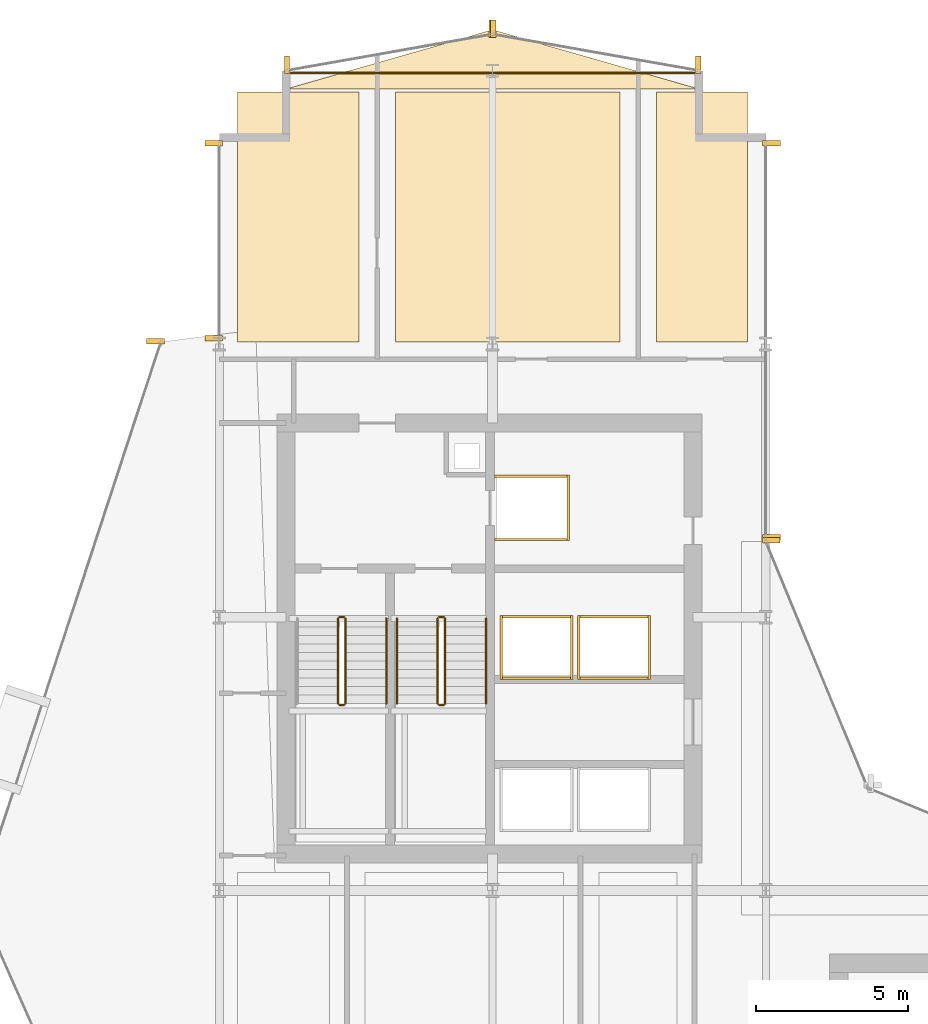
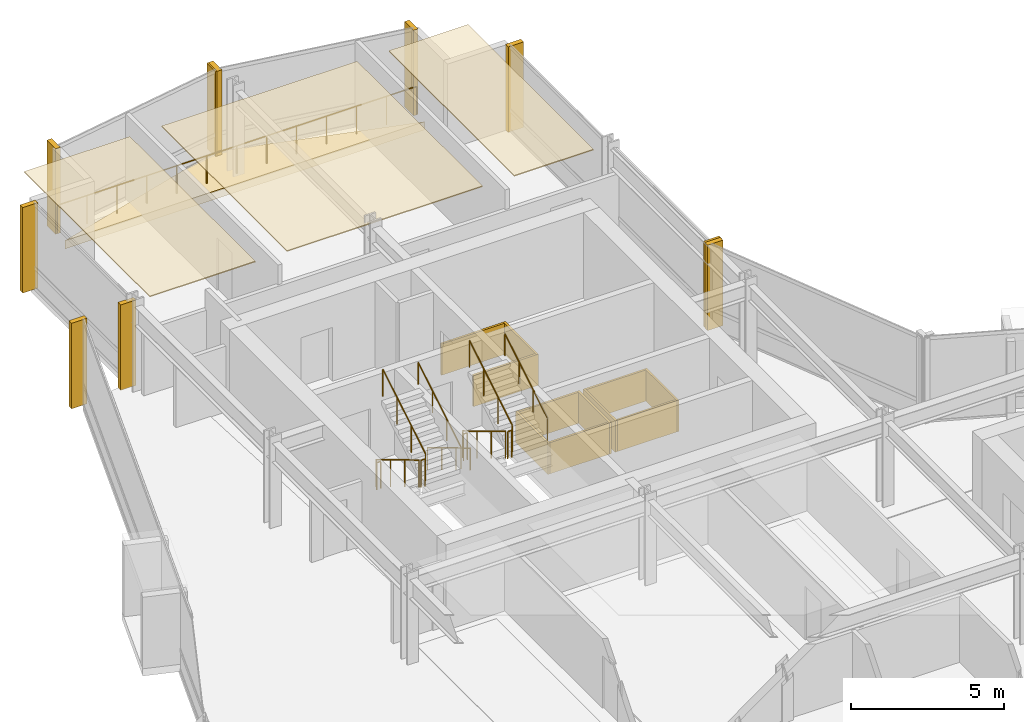
# One storey, part 29 of 29: 25 coverings, 12 railings.
"""IFC4 building model written with IfcOpenShell, lengths in metres."""

from ifc_helpers import new_model, si_unit, direction, frame, origin, origin_2d, place, context, subcontext, project, spatial, polyline, rectangle, circle, outline, extrude, material, layer, layer_set, type_object, element, save


model = new_model("IFC4")

# Units and contexts
model_context = context("Model", 3, precision=1e-05, world=origin(), true_north=direction((0.0, 1.0)))
body_context = subcontext(model_context, "Body", "Model", "MODEL_VIEW")
ifc_project = project(units=[si_unit("LENGTHUNIT", "METRE"), si_unit("AREAUNIT", "SQUARE_METRE"), si_unit("VOLUMEUNIT", "CUBIC_METRE"), si_unit("PLANEANGLEUNIT", "RADIAN"), si_unit("MASSUNIT", "GRAM", prefix="KILO")], contexts=[model_context])

# Site, building, storey
site_placement = place(None, origin())
site = spatial("IfcSite", under=ifc_project, at=site_placement, CompositionType="ELEMENT")
building_placement = place(site_placement, origin())
building = spatial("IfcBuilding", under=site, at=building_placement, Name="Solvaryn Broadcast Tower", CompositionType="ELEMENT")
storey_placement = place(building_placement, frame((0.0, 0.0, 117.39990234375)))
storey = spatial("IfcBuildingStorey", under=building, at=storey_placement, Name="L28", CompositionType="ELEMENT", Elevation=117.39990234375)

# Coverings
ifc_material_1 = material(Name="Micro-Perforated Acoustic Gypsum Ceiling", Category="concrete")
ifc_layer_1 = layer(ifc_material_1, 0.0400390625)
ifc_layer_set_1 = layer_set([ifc_layer_1], Name="CV-CEIL-ACOUSTIC")
covering_type_1 = type_object("IfcCoveringType", Name="CV-CEIL-ACOUSTIC", PredefinedType="CEILING", material=ifc_layer_set_1)
covering_1_placement = place(storey_placement, frame((0.0, 0.0, 3.380126953125)))
element("IfcCovering", 1, at=covering_1_placement, inside=storey, type_object=covering_type_1, Name="L28 Room Acoustic Ceiling 7", PredefinedType="CEILING", context=body_context, shape_type="SweptSolid", body=[
    extrude(outline(polyline([(9.60009765625, 45.070068359375), (13.60009765625, 45.070068359375), (13.60009765625, 53.300048828125), (9.60009765625, 53.300048828125), (9.60009765625, 45.070068359375)])), origin(), (0.0, 0.0, 1.0), 0.0400390625),
])
covering_2_placement = place(storey_placement, frame((0.0, 0.0, 3.380126953125)))
element("IfcCovering", 2, at=covering_2_placement, inside=storey, type_object=covering_type_1, Name="L28 Room Acoustic Ceiling 8", PredefinedType="CEILING", context=body_context, shape_type="SweptSolid", body=[
    extrude(outline(polyline([(14.800048828125, 45.070068359375), (22.199951171875, 45.070068359375), (22.199951171875, 53.300048828125), (14.800048828125, 53.300048828125), (14.800048828125, 45.070068359375)])), origin(), (0.0, 0.0, 1.0), 0.0400390625),
])
covering_3_placement = place(storey_placement, frame((0.0, 0.0, 3.380126953125)))
element("IfcCovering", 3, at=covering_3_placement, inside=storey, type_object=covering_type_1, Name="L28 Room Acoustic Ceiling 9", PredefinedType="CEILING", context=body_context, shape_type="SweptSolid", body=[
    extrude(outline(polyline([(23.39990234375, 45.070068359375), (26.39990234375, 45.070068359375), (26.39990234375, 53.300048828125), (23.39990234375, 53.300048828125), (23.39990234375, 45.070068359375)])), origin(), (0.0, 0.0, 1.0), 0.0400390625),
])
ifc_material_2 = material(Name="Fire-Rated Gypsum Shaftwall Liner", Category="concrete")
ifc_layer_2 = layer(ifc_material_2, 0.080078125)
ifc_layer_set_2 = layer_set([ifc_layer_2], Name="CV-SHAFT-LINER")
covering_type_2 = type_object("IfcCoveringType", Name="CV-SHAFT-LINER", PredefinedType="CLADDING", material=ifc_layer_set_2)
for number, where, z_axis, x_axis, name in (
    (4, (19.300048828125, 40.639892578125, 0.0), (0.0, 0.0, 1.0), (1.0, 0.0, 0.0), "L28 FL1 Hoistway Shaft Liner North"),
    (5, (19.300048828125, 38.56005859375, 0.0), (0.0, 0.0, 1.0), (1.0, 0.0, 0.0), "L28 FL1 Hoistway Shaft Liner South"),
):
    element("IfcCovering", number, at=place(storey_placement, frame(where, z_axis=z_axis, x_axis=x_axis)), inside=storey, type_object=covering_type_2, Name=name, PredefinedType="CLADDING", context=body_context, shape_type="SweptSolid", body=[
        extrude(rectangle(XDim=2.4599609375, YDim=0.080078125, at=origin_2d()), origin(), (0.0, 0.0, 1.0), 1.25),
    ])
covering_4_placement = place(storey_placement, frame((20.489990234375, 39.60009765625, 0.0), z_axis=(0.0, 0.0, 1.0), x_axis=(1.0, 0.0, 0.0)))
element("IfcCovering", 6, at=covering_4_placement, inside=storey, type_object=covering_type_2, Name="L28 FL1 Hoistway Shaft Liner East", PredefinedType="CLADDING", context=body_context, shape_type="SweptSolid", body=[
    extrude(rectangle(XDim=0.080078125, YDim=2.159912109375, at=origin_2d()), origin(), (0.0, 0.0, 1.0), 1.25),
])
for number, where, z_axis, x_axis, name in (
    (7, (19.449951171875, 36.014892578125, 0.0), (0.0, 0.0, 1.0), (1.0, 0.0, 0.0), "L28 PH3 Hoistway Shaft Liner North"),
    (8, (19.449951171875, 33.985107421875, 0.0), (0.0, 0.0, 1.0), (1.0, 0.0, 0.0), "L28 PH3 Hoistway Shaft Liner South"),
):
    element("IfcCovering", number, at=place(storey_placement, frame(where, z_axis=z_axis, x_axis=x_axis)), inside=storey, type_object=covering_type_2, Name=name, PredefinedType="CLADDING", context=body_context, shape_type="SweptSolid", body=[
        extrude(rectangle(XDim=2.409912109375, YDim=0.080078125, at=origin_2d()), origin(), (0.0, 0.0, 1.0), 1.25),
    ])
for number, where, z_axis, x_axis, name in (
    (9, (20.614990234375, 35.0, 0.0), (0.0, 0.0, 1.0), (1.0, 0.0, 0.0), "L28 PH3 Hoistway Shaft Liner East"),
    (10, (18.284912109375, 35.0, 0.0), (0.0, 0.0, 1.0), (1.0, 0.0, 0.0), "L28 PH3 Hoistway Shaft Liner West"),
):
    element("IfcCovering", number, at=place(storey_placement, frame(where, z_axis=z_axis, x_axis=x_axis)), inside=storey, type_object=covering_type_2, Name=name, PredefinedType="CLADDING", context=body_context, shape_type="SweptSolid", body=[
        extrude(rectangle(XDim=0.080078125, YDim=2.110107421875, at=origin_2d()), origin(), (0.0, 0.0, 1.0), 1.25),
    ])
for number, where, z_axis, x_axis, name in (
    (11, (22.0, 36.014892578125, 0.0), (0.0, 0.0, 1.0), (1.0, 0.0, 0.0), "L28 PH4 Hoistway Shaft Liner North"),
    (12, (22.0, 33.985107421875, 0.0), (0.0, 0.0, 1.0), (1.0, 0.0, 0.0), "L28 PH4 Hoistway Shaft Liner South"),
):
    element("IfcCovering", number, at=place(storey_placement, frame(where, z_axis=z_axis, x_axis=x_axis)), inside=storey, type_object=covering_type_2, Name=name, PredefinedType="CLADDING", context=body_context, shape_type="SweptSolid", body=[
        extrude(rectangle(XDim=2.409912109375, YDim=0.080078125, at=origin_2d()), origin(), (0.0, 0.0, 1.0), 1.25),
    ])
for number, where, z_axis, x_axis, name in (
    (13, (23.1650390625, 35.0, 0.0), (0.0, 0.0, 1.0), (1.0, 0.0, 0.0), "L28 PH4 Hoistway Shaft Liner East"),
    (14, (20.8349609375, 35.0, 0.0), (0.0, 0.0, 1.0), (1.0, 0.0, 0.0), "L28 PH4 Hoistway Shaft Liner West"),
):
    element("IfcCovering", number, at=place(storey_placement, frame(where, z_axis=z_axis, x_axis=x_axis)), inside=storey, type_object=covering_type_2, Name=name, PredefinedType="CLADDING", context=body_context, shape_type="SweptSolid", body=[
        extrude(rectangle(XDim=0.080078125, YDim=2.110107421875, at=origin_2d()), origin(), (0.0, 0.0, 1.0), 1.25),
    ])
ifc_material_3 = material(Name="Extruded Architectural Terracotta Fin", Category="masonry")
ifc_layer_3 = layer(ifc_material_3, 0.179931640625)
ifc_layer_set_3 = layer_set([ifc_layer_3], Name="CV-TC-FIN")
covering_type_3 = type_object("IfcCoveringType", Name="CV-TC-FIN", PredefinedType="USERDEFINED", material=ifc_layer_set_3)
for number, where, z_axis, x_axis, name in (
    (15, (6.898681640625, 45.0947265625, 0.000244140625), (0.0, 0.0, 1.0), (1.0, 0.0, 0.0), "L28 Terracotta Vertical Fin FIN-L28-DR1-M00"),
    (16, (8.8125, 45.197021484375, 0.000244140625), (0.0, 0.0, 1.0), (1.0, 0.0, 0.0), "L28 Terracotta Vertical Fin FIN-L28-W2-M00"),
    (17, (8.8125, 51.6201171875, 0.000244140625), (0.0, 0.0, 1.0), (1.0, 0.0, 0.0), "L28 Terracotta Vertical Fin FIN-L28-W2-M01"),
    (18, (27.1875, 51.6201171875, 0.000244140625), (0.0, 0.0, 1.0), (1.0, 0.0, 0.0), "L28 Terracotta Vertical Fin FIN-L28-IV-M00"),
    (19, (27.1875, 38.6298828125, 0.000244140625), (0.0, 0.0, 1.0), (1.0, 0.0, 0.0), "L28 Terracotta Vertical Fin FIN-L28-IV-M01"),
    (20, (27.177978515625, 38.541259765625, 0.000244140625), (0.0, 0.0, 1.0), (1.0, 0.0, 0.0), "L28 Terracotta Vertical Fin FIN-L28-CN2-M01"),
):
    element("IfcCovering", number, at=place(storey_placement, frame(where, z_axis=z_axis, x_axis=x_axis)), inside=storey, type_object=covering_type_3, Name=name, ObjectType="FIN", PredefinedType="USERDEFINED", context=body_context, shape_type="SweptSolid", body=[
        extrude(rectangle(XDim=0.580078125, YDim=0.179931640625, at=origin_2d()), origin(), (0.0, 0.0, 1.0), 3.419921875),
    ])
for number, where, z_axis, x_axis, name in (
    (21, (24.7705078125, 54.192626953125, 0.000244140625), (0.0, 0.0, 1.0), (1.0, 0.0, 0.0), "L28 Terracotta Vertical Fin FIN-L28-NT1-M00"),
    (22, (18.029541015625, 55.38232421875, 0.000244140625), (0.0, 0.0, 1.0), (1.0, 0.0, 0.0), "L28 Terracotta Vertical Fin FIN-L28-NT1-M01"),
    (23, (17.970458984375, 55.38232421875, 0.000244140625), (0.0, 0.0, 1.0), (1.0, 0.0, 0.0), "L28 Terracotta Vertical Fin FIN-L28-NT2-M00"),
    (24, (11.2294921875, 54.192626953125, 0.000244140625), (0.0, 0.0, 1.0), (1.0, 0.0, 0.0), "L28 Terracotta Vertical Fin FIN-L28-NT2-M01"),
):
    element("IfcCovering", number, at=place(storey_placement, frame(where, z_axis=z_axis, x_axis=x_axis)), inside=storey, type_object=covering_type_3, Name=name, ObjectType="FIN", PredefinedType="USERDEFINED", context=body_context, shape_type="SweptSolid", body=[
        extrude(rectangle(XDim=0.179931640625, YDim=0.580078125, at=origin_2d()), origin(), (0.0, 0.0, 1.0), 3.419921875),
    ])
ifc_material_4 = material(Name="Sculpted Architectural Terracotta Wave Fascia", Category="masonry")
ifc_layer_4 = layer(ifc_material_4, 0.340087890625)
ifc_layer_set_4 = layer_set([ifc_layer_4], Name="CV-WAVE-TRAY")
covering_type_4 = type_object("IfcCoveringType", Name="CV-WAVE-TRAY", PredefinedType="CLADDING", material=ifc_layer_set_4)
covering_5_placement = place(storey_placement, frame((0.0, 0.0, -0.2998046875)))
element("IfcCovering", 25, at=covering_5_placement, inside=storey, type_object=covering_type_4, Name="L28 North Curved Wing Deck", PredefinedType="CLADDING", context=body_context, shape_type="SweptSolid", body=[
    extrude(outline(polyline([(11.199951171875, 53.39990234375), (24.800048828125, 53.39990234375), (18.0, 55.35009765625), (11.199951171875, 53.39990234375)])), origin(), (0.0, 0.0, 1.0), 0.329833984375),
])

# Railings
ifc_material_5 = material(Name="Painted Steel Stair Well Guard", Category="steel")
railing_type_1 = type_object("IfcRailingType", Name="RL-STAIR-GUARD", PredefinedType="BALUSTRADE", material=ifc_material_5)
railing_1_placement = place(storey_placement, frame((12.909912109375, 35.9599609375, 0.168212890625)))
element("IfcRailing", 26, at=railing_1_placement, inside=storey, type_object=railing_type_1, Name="L28 ST1 stair guard 1", PredefinedType="BALUSTRADE", context=body_context, shape_type="SweptSolid", body=[
    extrude(circle(Radius=0.02392578125, at=origin_2d()), frame((0.0, 0.0, 1.076171875), z_axis=(0.0, -0.857242210791, 0.514913383045), x_axis=(1.0, 0.0, 0.0)), (0.0, 0.0, 1.0), 3.266357421875),
    extrude(circle(Radius=0.02099609375, at=origin_2d()), origin(), (0.0, 0.0, 1.0), 1.052001953125),
    extrude(circle(Radius=0.02099609375, at=origin_2d()), frame((0.0, -0.933349609375, 0.560546875)), (0.0, 0.0, 1.0), 1.052001953125),
    extrude(circle(Radius=0.02099609375, at=origin_2d()), frame((0.0, -1.86669921875, 1.121337890625)), (0.0, 0.0, 1.0), 1.052001953125),
    extrude(circle(Radius=0.02099609375, at=origin_2d()), frame((0.0, -2.800048828125, 1.681884765625)), (0.0, 0.0, 1.0), 1.052001953125),
])
railing_2_placement = place(storey_placement, frame((12.9599609375, 33.110107421875, 1.85009765625)))
element("IfcRailing", 27, at=railing_2_placement, inside=storey, type_object=railing_type_1, Name="L28 ST1 stair guard 2", PredefinedType="BALUSTRADE", context=body_context, shape_type="SweptSolid", body=[
    extrude(circle(Radius=0.02392578125, at=origin_2d()), frame((0.0, 0.0, 1.076171875), z_axis=(1.0, 0.0, 0.0), x_axis=(0.0, 1.0, 0.0)), (0.0, 0.0, 1.0), 0.150146484375),
    extrude(circle(Radius=0.02099609375, at=origin_2d()), origin(), (0.0, 0.0, 1.0), 1.052001953125),
    extrude(circle(Radius=0.02099609375, at=origin_2d()), frame((0.150146484375, 0.0, 0.0)), (0.0, 0.0, 1.0), 1.052001953125),
])
railing_3_placement = place(storey_placement, frame((13.159912109375, 33.159912109375, 2.018310546875)))
element("IfcRailing", 28, at=railing_3_placement, inside=storey, type_object=railing_type_1, Name="L28 ST1 stair guard 3", PredefinedType="BALUSTRADE", context=body_context, shape_type="SweptSolid", body=[
    extrude(circle(Radius=0.02392578125, at=origin_2d()), frame((0.0, 0.0, 1.076171875), z_axis=(0.0, 0.857242210791, 0.514913383045), x_axis=(-1.0, 0.0, 0.0)), (0.0, 0.0, 1.0), 3.266357421875),
    extrude(circle(Radius=0.02099609375, at=origin_2d()), origin(), (0.0, 0.0, 1.0), 1.052001953125),
    extrude(circle(Radius=0.02099609375, at=origin_2d()), frame((0.0, 0.933349609375, 0.560546875)), (0.0, 0.0, 1.0), 1.052001953125),
    extrude(circle(Radius=0.02099609375, at=origin_2d()), frame((0.0, 1.86669921875, 1.121337890625)), (0.0, 0.0, 1.0), 1.052001953125),
    extrude(circle(Radius=0.02099609375, at=origin_2d()), frame((0.0, 2.800048828125, 1.681884765625)), (0.0, 0.0, 1.0), 1.052001953125),
])
railing_4_placement = place(storey_placement, frame((12.9599609375, 36.010009765625, 0.0)))
element("IfcRailing", 29, at=railing_4_placement, inside=storey, type_object=railing_type_1, Name="L28 ST1 stair guard 4", PredefinedType="BALUSTRADE", context=body_context, shape_type="SweptSolid", body=[
    extrude(circle(Radius=0.02392578125, at=origin_2d()), frame((0.0, 0.0, 1.076171875), z_axis=(1.0, 0.0, 0.0), x_axis=(0.0, 1.0, 0.0)), (0.0, 0.0, 1.0), 0.150146484375),
    extrude(circle(Radius=0.02099609375, at=origin_2d()), origin(), (0.0, 0.0, 1.0), 1.052001953125),
    extrude(circle(Radius=0.02099609375, at=origin_2d()), frame((0.150146484375, 0.0, 0.0)), (0.0, 0.0, 1.0), 1.052001953125),
])
railing_5_placement = place(storey_placement, frame((16.18994140625, 35.9599609375, 0.168212890625)))
element("IfcRailing", 30, at=railing_5_placement, inside=storey, type_object=railing_type_1, Name="L28 ST2 stair guard 1", PredefinedType="BALUSTRADE", context=body_context, shape_type="SweptSolid", body=[
    extrude(circle(Radius=0.02392578125, at=origin_2d()), frame((0.0, 0.0, 1.076171875), z_axis=(0.0, -0.857242210791, 0.514913383045), x_axis=(1.0, 0.0, 0.0)), (0.0, 0.0, 1.0), 3.266357421875),
    extrude(circle(Radius=0.02099609375, at=origin_2d()), origin(), (0.0, 0.0, 1.0), 1.052001953125),
    extrude(circle(Radius=0.02099609375, at=origin_2d()), frame((0.0, -0.933349609375, 0.560546875)), (0.0, 0.0, 1.0), 1.052001953125),
    extrude(circle(Radius=0.02099609375, at=origin_2d()), frame((0.0, -1.86669921875, 1.121337890625)), (0.0, 0.0, 1.0), 1.052001953125),
    extrude(circle(Radius=0.02099609375, at=origin_2d()), frame((0.0, -2.800048828125, 1.681884765625)), (0.0, 0.0, 1.0), 1.052001953125),
])
railing_6_placement = place(storey_placement, frame((16.239990234375, 33.110107421875, 1.85009765625)))
element("IfcRailing", 31, at=railing_6_placement, inside=storey, type_object=railing_type_1, Name="L28 ST2 stair guard 2", PredefinedType="BALUSTRADE", context=body_context, shape_type="SweptSolid", body=[
    extrude(circle(Radius=0.02392578125, at=origin_2d()), frame((0.0, 0.0, 1.076171875), z_axis=(1.0, 0.0, 0.0), x_axis=(0.0, 1.0, 0.0)), (0.0, 0.0, 1.0), 0.14990234375),
    extrude(circle(Radius=0.02099609375, at=origin_2d()), origin(), (0.0, 0.0, 1.0), 1.052001953125),
    extrude(circle(Radius=0.02099609375, at=origin_2d()), frame((0.14990234375, 0.0, 0.0)), (0.0, 0.0, 1.0), 1.052001953125),
])
railing_7_placement = place(storey_placement, frame((16.43994140625, 33.159912109375, 2.018310546875)))
element("IfcRailing", 32, at=railing_7_placement, inside=storey, type_object=railing_type_1, Name="L28 ST2 stair guard 3", PredefinedType="BALUSTRADE", context=body_context, shape_type="SweptSolid", body=[
    extrude(circle(Radius=0.02392578125, at=origin_2d()), frame((0.0, 0.0, 1.076171875), z_axis=(0.0, 0.857242210791, 0.514913383045), x_axis=(-1.0, 0.0, 0.0)), (0.0, 0.0, 1.0), 3.266357421875),
    extrude(circle(Radius=0.02099609375, at=origin_2d()), origin(), (0.0, 0.0, 1.0), 1.052001953125),
    extrude(circle(Radius=0.02099609375, at=origin_2d()), frame((0.0, 0.933349609375, 0.560546875)), (0.0, 0.0, 1.0), 1.052001953125),
    extrude(circle(Radius=0.02099609375, at=origin_2d()), frame((0.0, 1.86669921875, 1.121337890625)), (0.0, 0.0, 1.0), 1.052001953125),
    extrude(circle(Radius=0.02099609375, at=origin_2d()), frame((0.0, 2.800048828125, 1.681884765625)), (0.0, 0.0, 1.0), 1.052001953125),
])
railing_8_placement = place(storey_placement, frame((16.239990234375, 36.010009765625, 0.0)))
element("IfcRailing", 33, at=railing_8_placement, inside=storey, type_object=railing_type_1, Name="L28 ST2 stair guard 4", PredefinedType="BALUSTRADE", context=body_context, shape_type="SweptSolid", body=[
    extrude(circle(Radius=0.02392578125, at=origin_2d()), frame((0.0, 0.0, 1.076171875), z_axis=(1.0, 0.0, 0.0), x_axis=(0.0, 1.0, 0.0)), (0.0, 0.0, 1.0), 0.14990234375),
    extrude(circle(Radius=0.02099609375, at=origin_2d()), origin(), (0.0, 0.0, 1.0), 1.052001953125),
    extrude(circle(Radius=0.02099609375, at=origin_2d()), frame((0.14990234375, 0.0, 0.0)), (0.0, 0.0, 1.0), 1.052001953125),
])
ifc_material_6 = material(Name="Brushed Stainless Steel Tubular Handrail", Category="steel")
railing_type_2 = type_object("IfcRailingType", Name="RL-STAIR-HANDRAIL", PredefinedType="HANDRAIL", material=ifc_material_6)
railing_9_placement = place(storey_placement, frame((14.5, 33.159912109375, 2.018310546875)))
element("IfcRailing", 34, at=railing_9_placement, inside=storey, type_object=railing_type_2, Name="L28 ST1 stair handrail 2", PredefinedType="HANDRAIL", context=body_context, shape_type="SweptSolid", body=[
    extrude(circle(Radius=0.02392578125, at=origin_2d()), frame((0.0, 0.0, 0.8759765625), z_axis=(0.0, 0.857242210791, 0.514913383045), x_axis=(-1.0, 0.0, 0.0)), (0.0, 0.0, 1.0), 3.266357421875),
    extrude(circle(Radius=0.02099609375, at=origin_2d()), origin(), (0.0, 0.0, 1.0), 0.851806640625),
    extrude(circle(Radius=0.02099609375, at=origin_2d()), frame((0.0, 0.933349609375, 0.560546875)), (0.0, 0.0, 1.0), 0.851806640625),
    extrude(circle(Radius=0.02099609375, at=origin_2d()), frame((0.0, 1.86669921875, 1.121337890625)), (0.0, 0.0, 1.0), 0.851806640625),
    extrude(circle(Radius=0.02099609375, at=origin_2d()), frame((0.0, 2.800048828125, 1.681884765625)), (0.0, 0.0, 1.0), 0.851806640625),
])
railing_10_placement = place(storey_placement, frame((14.85009765625, 35.9599609375, 0.168212890625)))
element("IfcRailing", 35, at=railing_10_placement, inside=storey, type_object=railing_type_2, Name="L28 ST2 stair handrail 1", PredefinedType="HANDRAIL", context=body_context, shape_type="SweptSolid", body=[
    extrude(circle(Radius=0.02392578125, at=origin_2d()), frame((0.0, 0.0, 0.8759765625), z_axis=(0.0, -0.857242210791, 0.514913383045), x_axis=(1.0, 0.0, 0.0)), (0.0, 0.0, 1.0), 3.266357421875),
    extrude(circle(Radius=0.02099609375, at=origin_2d()), origin(), (0.0, 0.0, 1.0), 0.851806640625),
    extrude(circle(Radius=0.02099609375, at=origin_2d()), frame((0.0, -0.933349609375, 0.560546875)), (0.0, 0.0, 1.0), 0.851806640625),
    extrude(circle(Radius=0.02099609375, at=origin_2d()), frame((0.0, -1.86669921875, 1.121337890625)), (0.0, 0.0, 1.0), 0.851806640625),
    extrude(circle(Radius=0.02099609375, at=origin_2d()), frame((0.0, -2.800048828125, 1.681884765625)), (0.0, 0.0, 1.0), 0.851806640625),
])
railing_11_placement = place(storey_placement, frame((17.780029296875, 33.159912109375, 2.018310546875)))
element("IfcRailing", 36, at=railing_11_placement, inside=storey, type_object=railing_type_2, Name="L28 ST2 stair handrail 2", PredefinedType="HANDRAIL", context=body_context, shape_type="SweptSolid", body=[
    extrude(circle(Radius=0.02392578125, at=origin_2d()), frame((0.0, 0.0, 0.8759765625), z_axis=(0.0, 0.857242210791, 0.514913383045), x_axis=(-1.0, 0.0, 0.0)), (0.0, 0.0, 1.0), 3.266357421875),
    extrude(circle(Radius=0.02099609375, at=origin_2d()), origin(), (0.0, 0.0, 1.0), 0.851806640625),
    extrude(circle(Radius=0.02099609375, at=origin_2d()), frame((0.0, 0.933349609375, 0.560546875)), (0.0, 0.0, 1.0), 0.851806640625),
    extrude(circle(Radius=0.02099609375, at=origin_2d()), frame((0.0, 1.86669921875, 1.121337890625)), (0.0, 0.0, 1.0), 0.851806640625),
    extrude(circle(Radius=0.02099609375, at=origin_2d()), frame((0.0, 2.800048828125, 1.681884765625)), (0.0, 0.0, 1.0), 0.851806640625),
])
ifc_material_7 = material(Name="Stainless Steel and Laminated Glass Guard", Category="steel")
railing_type_3 = type_object("IfcRailingType", Name="RL-TER-1150", PredefinedType="BALUSTRADE", material=ifc_material_7)
railing_12_placement = place(storey_placement, frame((11.199951171875, 53.919921875, 0.0)))
element("IfcRailing", 37, at=railing_12_placement, inside=storey, type_object=railing_type_3, Name="L28 North Wing Spandrel Edge Guard", PredefinedType="BALUSTRADE", context=body_context, shape_type="SweptSolid", body=[
    extrude(circle(Radius=0.02392578125, at=origin_2d()), frame((0.0, 0.0, 1.1259765625), z_axis=(1.0, 0.0, 0.0), x_axis=(0.0, 1.0, 0.0)), (0.0, 0.0, 1.0), 13.60009765625),
    extrude(circle(Radius=0.02099609375, at=origin_2d()), origin(), (0.0, 0.0, 1.0), 1.101806640625),
    extrude(circle(Radius=0.02099609375, at=origin_2d()), frame((1.13330078125, 0.0, 0.0)), (0.0, 0.0, 1.0), 1.101806640625),
    extrude(circle(Radius=0.02099609375, at=origin_2d()), frame((2.2666015625, 0.0, 0.0)), (0.0, 0.0, 1.0), 1.101806640625),
    extrude(circle(Radius=0.02099609375, at=origin_2d()), frame((3.39990234375, 0.0, 0.0)), (0.0, 0.0, 1.0), 1.101806640625),
    extrude(circle(Radius=0.02099609375, at=origin_2d()), frame((4.533447265625, 0.0, 0.0)), (0.0, 0.0, 1.0), 1.101806640625),
    extrude(circle(Radius=0.02099609375, at=origin_2d()), frame((5.666748046875, 0.0, 0.0)), (0.0, 0.0, 1.0), 1.101806640625),
    extrude(circle(Radius=0.02099609375, at=origin_2d()), frame((6.800048828125, 0.0, 0.0)), (0.0, 0.0, 1.0), 1.101806640625),
    extrude(circle(Radius=0.02099609375, at=origin_2d()), frame((7.933349609375, 0.0, 0.0)), (0.0, 0.0, 1.0), 1.101806640625),
    extrude(circle(Radius=0.02099609375, at=origin_2d()), frame((9.066650390625, 0.0, 0.0)), (0.0, 0.0, 1.0), 1.101806640625),
    extrude(circle(Radius=0.02099609375, at=origin_2d()), frame((10.2001953125, 0.0, 0.0)), (0.0, 0.0, 1.0), 1.101806640625),
    extrude(circle(Radius=0.02099609375, at=origin_2d()), frame((11.33349609375, 0.0, 0.0)), (0.0, 0.0, 1.0), 1.101806640625),
    extrude(circle(Radius=0.02099609375, at=origin_2d()), frame((12.466796875, 0.0, 0.0)), (0.0, 0.0, 1.0), 1.101806640625),
    extrude(circle(Radius=0.02099609375, at=origin_2d()), frame((13.60009765625, 0.0, 0.0)), (0.0, 0.0, 1.0), 1.101806640625),
])

save(model, "model.ifc")
